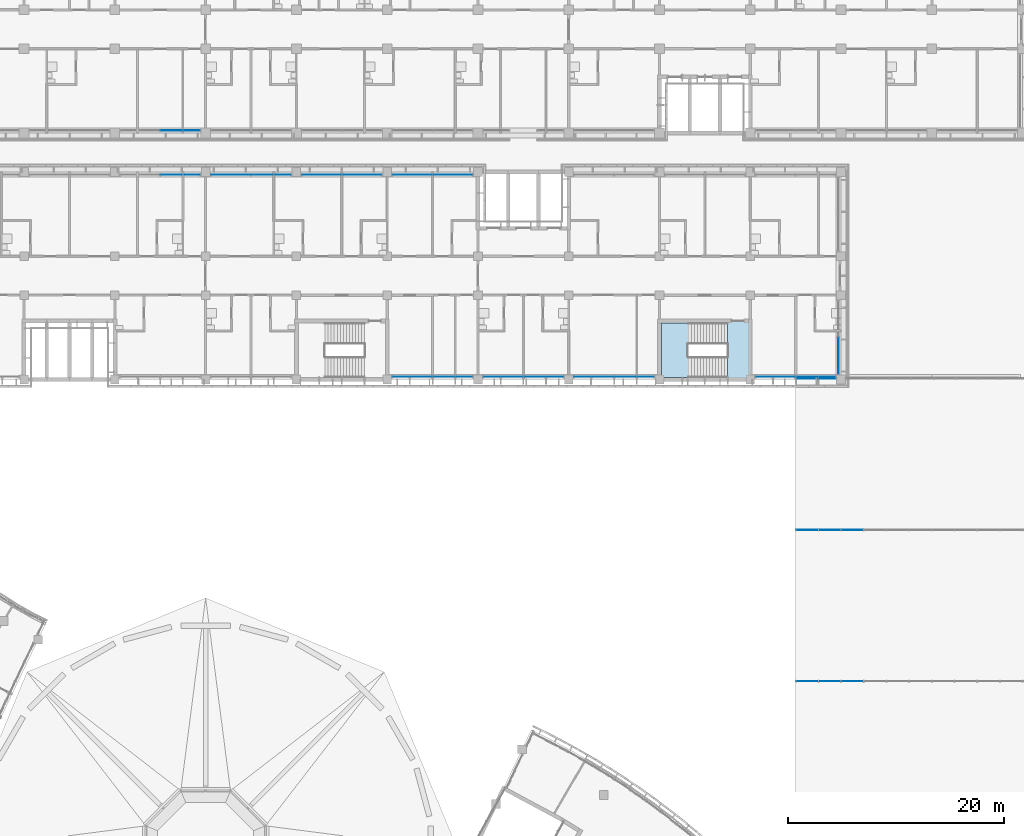
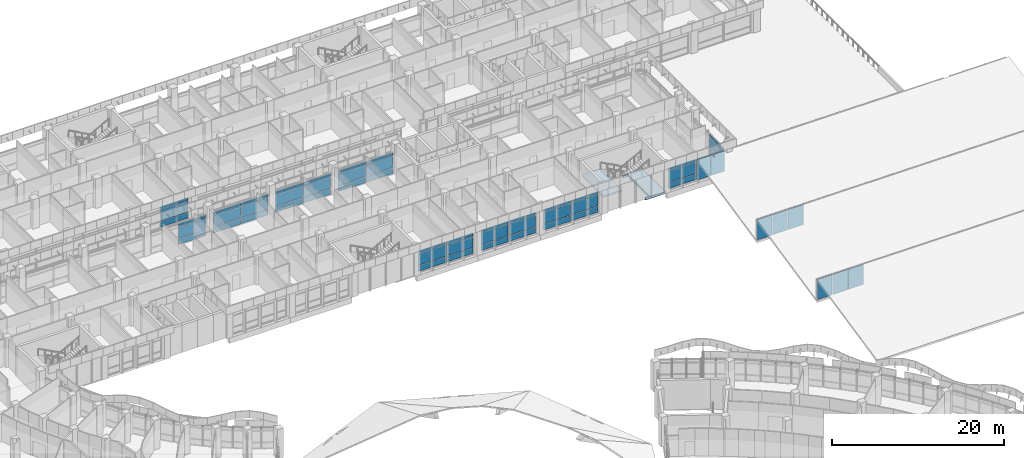
# One storey, part 57 of 137: 59 plates, 2 slabs, 14 elements without a shape of their own.
"""IFC4 building model written with IfcOpenShell, lengths in metres."""

from ifc_helpers import new_model, si_unit, direction, frame, origin, origin_2d, place, context, subcontext, project, spatial, polyline, rectangle, outline, extrude, material, layer, layer_set, type_object, element, aggregate, save


model = new_model("IFC4")

# Units and contexts
model_context = context("Model", 3, precision=1e-05, world=origin(), true_north=direction((0.0, 1.0)))
body_context = subcontext(model_context, "Body", "Model", "MODEL_VIEW")
ifc_project = project(units=[si_unit("LENGTHUNIT", "METRE"), si_unit("AREAUNIT", "SQUARE_METRE"), si_unit("VOLUMEUNIT", "CUBIC_METRE"), si_unit("PLANEANGLEUNIT", "RADIAN"), si_unit("MASSUNIT", "GRAM", prefix="KILO")], contexts=[model_context])

# Site, building, storey
site_placement = place(None, origin())
site = spatial("IfcSite", under=ifc_project, at=site_placement, CompositionType="ELEMENT")
building_placement = place(site_placement, origin())
building = spatial("IfcBuilding", under=site, at=building_placement, Name="Bougainvillea Quay General Hospital", CompositionType="ELEMENT")
storey_placement = place(building_placement, frame((0.0, 0.0, 16.800048828125)))
storey = spatial("IfcBuildingStorey", under=building, at=storey_placement, Name="L03", CompositionType="ELEMENT", Elevation=16.800048828125)

# Curtain wall, plates
ifc_material_1 = material(Name="Aluminium curtain wall system, powder-coated glazed", Category="aluminium")
curtain_wall_type_1 = type_object("IfcCurtainWallType", Name="Unitised curtain wall CW-3730", PredefinedType="NOTDEFINED", material=ifc_material_1)
curtain_wall_1_placement = place(storey_placement, origin())
curtain_wall_1 = element("IfcCurtainWall", 1, at=curtain_wall_1_placement, inside=storey, type_object=curtain_wall_type_1, Name="CW-4200 03", PredefinedType="NOTDEFINED")
ifc_material_2 = material(Name="Insulated aluminium spandrel panel, white", Category="aluminium")
ifc_layer_1 = layer(ifc_material_2, 0.028076171875)
ifc_layer_set_1 = layer_set([ifc_layer_1], Name="Insulated aluminium spandrel panel, white")
plate_type_1 = type_object("IfcPlateType", Name="Insulated spandrel panel white 28", PredefinedType="CURTAIN_PANEL", material=ifc_layer_set_1)
plate_1_placement = place(storey_placement, frame((106.85009765625, 140.64990234375, 0.059814453125), z_axis=(0.0, 0.0, 1.0), x_axis=(1.0, 0.0, 0.0)))
plate_1 = element("IfcPlate", 2, at=plate_1_placement, type_object=plate_type_1, Name="CW-4200 spandrel panel 2.1", PredefinedType="CURTAIN_PANEL", context=body_context, shape_type="SweptSolid", body=[
    extrude(rectangle(XDim=3.639892578125, YDim=0.028076171875, at=origin_2d()), origin(), (0.0, 0.0, 1.0), 0.81005859375),
])
plate_2_placement = place(storey_placement, frame((106.85009765625, 140.64990234375, 2.580078125), z_axis=(0.0, 0.0, 1.0), x_axis=(1.0, 0.0, 0.0)))
plate_2 = element("IfcPlate", 3, at=plate_2_placement, type_object=plate_type_1, Name="CW-4200 spandrel panel 2.3", PredefinedType="CURTAIN_PANEL", context=body_context, shape_type="SweptSolid", body=[
    extrude(rectangle(XDim=3.639892578125, YDim=0.028076171875, at=origin_2d()), origin(), (0.0, 0.0, 1.0), 0.409912109375),
])

curtain_wall_2_placement = place(storey_placement, origin())
curtain_wall_2 = element("IfcCurtainWall", 4, at=curtain_wall_2_placement, inside=storey, type_object=curtain_wall_type_1, Name="CW-4200 02", PredefinedType="NOTDEFINED")
plate_3_placement = place(storey_placement, frame((128.35009765625, 117.85009765625, 0.059814453125), z_axis=(0.0, 0.0, 1.0), x_axis=(1.0, 0.0, 0.0)))
plate_3 = element("IfcPlate", 5, at=plate_3_placement, type_object=plate_type_1, Name="CW-4200 spandrel panel 1.1", PredefinedType="CURTAIN_PANEL", context=body_context, shape_type="SweptSolid", body=[
    extrude(rectangle(XDim=3.639892578125, YDim=0.028076171875, at=origin_2d()), origin(), (0.0, 0.0, 1.0), 0.81005859375),
])
plate_4_placement = place(storey_placement, frame((128.35009765625, 117.85009765625, 2.580078125), z_axis=(0.0, 0.0, 1.0), x_axis=(1.0, 0.0, 0.0)))
plate_4 = element("IfcPlate", 6, at=plate_4_placement, type_object=plate_type_1, Name="CW-4200 spandrel panel 1.3", PredefinedType="CURTAIN_PANEL", context=body_context, shape_type="SweptSolid", body=[
    extrude(rectangle(XDim=3.639892578125, YDim=0.028076171875, at=origin_2d()), origin(), (0.0, 0.0, 1.0), 0.409912109375),
])
plate_5_placement = place(storey_placement, frame((132.050048828125, 117.85009765625, 0.059814453125), z_axis=(0.0, 0.0, 1.0), x_axis=(1.0, 0.0, 0.0)))
plate_5 = element("IfcPlate", 7, at=plate_5_placement, type_object=plate_type_1, Name="CW-4200 spandrel panel 2.1", PredefinedType="CURTAIN_PANEL", context=body_context, shape_type="SweptSolid", body=[
    extrude(rectangle(XDim=3.639892578125, YDim=0.028076171875, at=origin_2d()), origin(), (0.0, 0.0, 1.0), 0.81005859375),
])
plate_6_placement = place(storey_placement, frame((132.050048828125, 117.85009765625, 2.580078125), z_axis=(0.0, 0.0, 1.0), x_axis=(1.0, 0.0, 0.0)))
plate_6 = element("IfcPlate", 8, at=plate_6_placement, type_object=plate_type_1, Name="CW-4200 spandrel panel 2.3", PredefinedType="CURTAIN_PANEL", context=body_context, shape_type="SweptSolid", body=[
    extrude(rectangle(XDim=3.639892578125, YDim=0.028076171875, at=origin_2d()), origin(), (0.0, 0.0, 1.0), 0.409912109375),
])

curtain_wall_3_placement = place(storey_placement, origin())
curtain_wall_3 = element("IfcCurtainWall", 9, at=curtain_wall_3_placement, inside=storey, type_object=curtain_wall_type_1, Name="CW-4200 03", PredefinedType="NOTDEFINED")
plate_7_placement = place(storey_placement, frame((136.75, 117.85009765625, 0.059814453125), z_axis=(0.0, 0.0, 1.0), x_axis=(1.0, 0.0, 0.0)))
plate_7 = element("IfcPlate", 10, at=plate_7_placement, type_object=plate_type_1, Name="CW-4200 spandrel panel 1.1", PredefinedType="CURTAIN_PANEL", context=body_context, shape_type="SweptSolid", body=[
    extrude(rectangle(XDim=3.639892578125, YDim=0.028076171875, at=origin_2d()), origin(), (0.0, 0.0, 1.0), 0.81005859375),
])
plate_8_placement = place(storey_placement, frame((136.75, 117.85009765625, 2.580078125), z_axis=(0.0, 0.0, 1.0), x_axis=(1.0, 0.0, 0.0)))
plate_8 = element("IfcPlate", 11, at=plate_8_placement, type_object=plate_type_1, Name="CW-4200 spandrel panel 1.3", PredefinedType="CURTAIN_PANEL", context=body_context, shape_type="SweptSolid", body=[
    extrude(rectangle(XDim=3.639892578125, YDim=0.028076171875, at=origin_2d()), origin(), (0.0, 0.0, 1.0), 0.409912109375),
])
plate_9_placement = place(storey_placement, frame((140.449951171875, 117.85009765625, 0.059814453125), z_axis=(0.0, 0.0, 1.0), x_axis=(1.0, 0.0, 0.0)))
plate_9 = element("IfcPlate", 12, at=plate_9_placement, type_object=plate_type_1, Name="CW-4200 spandrel panel 2.1", PredefinedType="CURTAIN_PANEL", context=body_context, shape_type="SweptSolid", body=[
    extrude(rectangle(XDim=3.639892578125, YDim=0.028076171875, at=origin_2d()), origin(), (0.0, 0.0, 1.0), 0.81005859375),
])
plate_10_placement = place(storey_placement, frame((140.449951171875, 117.85009765625, 2.580078125), z_axis=(0.0, 0.0, 1.0), x_axis=(1.0, 0.0, 0.0)))
plate_10 = element("IfcPlate", 13, at=plate_10_placement, type_object=plate_type_1, Name="CW-4200 spandrel panel 2.3", PredefinedType="CURTAIN_PANEL", context=body_context, shape_type="SweptSolid", body=[
    extrude(rectangle(XDim=3.639892578125, YDim=0.028076171875, at=origin_2d()), origin(), (0.0, 0.0, 1.0), 0.409912109375),
])

curtain_wall_4_placement = place(storey_placement, origin())
curtain_wall_4 = element("IfcCurtainWall", 14, at=curtain_wall_4_placement, inside=storey, type_object=curtain_wall_type_1, Name="CW-4200 04", PredefinedType="NOTDEFINED")
plate_11_placement = place(storey_placement, frame((145.14990234375, 117.85009765625, 0.059814453125), z_axis=(0.0, 0.0, 1.0), x_axis=(1.0, 0.0, 0.0)))
plate_11 = element("IfcPlate", 15, at=plate_11_placement, type_object=plate_type_1, Name="CW-4200 spandrel panel 1.1", PredefinedType="CURTAIN_PANEL", context=body_context, shape_type="SweptSolid", body=[
    extrude(rectangle(XDim=3.639892578125, YDim=0.028076171875, at=origin_2d()), origin(), (0.0, 0.0, 1.0), 0.81005859375),
])
plate_12_placement = place(storey_placement, frame((145.14990234375, 117.85009765625, 2.580078125), z_axis=(0.0, 0.0, 1.0), x_axis=(1.0, 0.0, 0.0)))
plate_12 = element("IfcPlate", 16, at=plate_12_placement, type_object=plate_type_1, Name="CW-4200 spandrel panel 1.3", PredefinedType="CURTAIN_PANEL", context=body_context, shape_type="SweptSolid", body=[
    extrude(rectangle(XDim=3.639892578125, YDim=0.028076171875, at=origin_2d()), origin(), (0.0, 0.0, 1.0), 0.409912109375),
])
plate_13_placement = place(storey_placement, frame((148.85009765625, 117.85009765625, 0.059814453125), z_axis=(0.0, 0.0, 1.0), x_axis=(1.0, 0.0, 0.0)))
plate_13 = element("IfcPlate", 17, at=plate_13_placement, type_object=plate_type_1, Name="CW-4200 spandrel panel 2.1", PredefinedType="CURTAIN_PANEL", context=body_context, shape_type="SweptSolid", body=[
    extrude(rectangle(XDim=3.639892578125, YDim=0.028076171875, at=origin_2d()), origin(), (0.0, 0.0, 1.0), 0.81005859375),
])
plate_14_placement = place(storey_placement, frame((148.85009765625, 117.85009765625, 2.580078125), z_axis=(0.0, 0.0, 1.0), x_axis=(1.0, 0.0, 0.0)))
plate_14 = element("IfcPlate", 18, at=plate_14_placement, type_object=plate_type_1, Name="CW-4200 spandrel panel 2.3", PredefinedType="CURTAIN_PANEL", context=body_context, shape_type="SweptSolid", body=[
    extrude(rectangle(XDim=3.639892578125, YDim=0.028076171875, at=origin_2d()), origin(), (0.0, 0.0, 1.0), 0.409912109375),
])

curtain_wall_5_placement = place(storey_placement, origin())
curtain_wall_5 = element("IfcCurtainWall", 19, at=curtain_wall_5_placement, inside=storey, type_object=curtain_wall_type_1, Name="CW-4200 05", PredefinedType="NOTDEFINED")
plate_15_placement = place(storey_placement, frame((161.949951171875, 117.85009765625, 0.059814453125), z_axis=(0.0, 0.0, 1.0), x_axis=(1.0, 0.0, 0.0)))
plate_15 = element("IfcPlate", 20, at=plate_15_placement, type_object=plate_type_1, Name="CW-4200 spandrel panel 1.1", PredefinedType="CURTAIN_PANEL", context=body_context, shape_type="SweptSolid", body=[
    extrude(rectangle(XDim=3.639892578125, YDim=0.028076171875, at=origin_2d()), origin(), (0.0, 0.0, 1.0), 0.81005859375),
])
plate_16_placement = place(storey_placement, frame((161.949951171875, 117.85009765625, 2.580078125), z_axis=(0.0, 0.0, 1.0), x_axis=(1.0, 0.0, 0.0)))
plate_16 = element("IfcPlate", 21, at=plate_16_placement, type_object=plate_type_1, Name="CW-4200 spandrel panel 1.3", PredefinedType="CURTAIN_PANEL", context=body_context, shape_type="SweptSolid", body=[
    extrude(rectangle(XDim=3.639892578125, YDim=0.028076171875, at=origin_2d()), origin(), (0.0, 0.0, 1.0), 0.409912109375),
])
plate_17_placement = place(storey_placement, frame((165.64990234375, 117.85009765625, 0.059814453125), z_axis=(0.0, 0.0, 1.0), x_axis=(1.0, 0.0, 0.0)))
plate_17 = element("IfcPlate", 22, at=plate_17_placement, type_object=plate_type_1, Name="CW-4200 spandrel panel 2.1", PredefinedType="CURTAIN_PANEL", context=body_context, shape_type="SweptSolid", body=[
    extrude(rectangle(XDim=3.639892578125, YDim=0.028076171875, at=origin_2d()), origin(), (0.0, 0.0, 1.0), 0.81005859375),
])
plate_18_placement = place(storey_placement, frame((165.64990234375, 117.85009765625, 2.580078125), z_axis=(0.0, 0.0, 1.0), x_axis=(1.0, 0.0, 0.0)))
plate_18 = element("IfcPlate", 23, at=plate_18_placement, type_object=plate_type_1, Name="CW-4200 spandrel panel 2.3", PredefinedType="CURTAIN_PANEL", context=body_context, shape_type="SweptSolid", body=[
    extrude(rectangle(XDim=3.639892578125, YDim=0.028076171875, at=origin_2d()), origin(), (0.0, 0.0, 1.0), 0.409912109375),
])

curtain_wall_type_2 = type_object("IfcCurtainWallType", Name="Unitised curtain wall CW-3430", PredefinedType="NOTDEFINED", material=ifc_material_1)
curtain_wall_6_placement = place(storey_placement, origin())
curtain_wall_6 = element("IfcCurtainWall", 24, at=curtain_wall_6_placement, inside=storey, type_object=curtain_wall_type_2, Name="CW-4200 00", PredefinedType="NOTDEFINED")
plate_19_placement = place(storey_placement, frame((167.75, 119.800048828125, 0.059814453125), z_axis=(0.0, 0.0, 1.0), x_axis=(0.0, 1.0, 0.0)))
plate_19 = element("IfcPlate", 25, at=plate_19_placement, type_object=plate_type_1, Name="CW-4200 spandrel panel 1.1", PredefinedType="CURTAIN_PANEL", context=body_context, shape_type="SweptSolid", body=[
    extrude(rectangle(XDim=3.340087890625, YDim=0.028076171875, at=origin_2d()), origin(), (0.0, 0.0, 1.0), 0.81005859375),
])
plate_20_placement = place(storey_placement, frame((167.75, 119.800048828125, 2.580078125), z_axis=(0.0, 0.0, 1.0), x_axis=(0.0, 1.0, 0.0)))
plate_20 = element("IfcPlate", 26, at=plate_20_placement, type_object=plate_type_1, Name="CW-4200 spandrel panel 1.3", PredefinedType="CURTAIN_PANEL", context=body_context, shape_type="SweptSolid", body=[
    extrude(rectangle(XDim=3.340087890625, YDim=0.028076171875, at=origin_2d()), origin(), (0.0, 0.0, 1.0), 0.409912109375),
])

curtain_wall_7_placement = place(storey_placement, origin())
curtain_wall_7 = element("IfcCurtainWall", 27, at=curtain_wall_7_placement, inside=storey, type_object=curtain_wall_type_1, Name="CW-4200 00", PredefinedType="NOTDEFINED")
plate_21_placement = place(storey_placement, frame((132.050048828125, 136.550048828125, 0.059814453125), z_axis=(0.0, 0.0, 1.0), x_axis=(-1.0, 0.0, 0.0)))
plate_21 = element("IfcPlate", 28, at=plate_21_placement, type_object=plate_type_1, Name="CW-4200 spandrel panel 1.1", PredefinedType="CURTAIN_PANEL", context=body_context, shape_type="SweptSolid", body=[
    extrude(rectangle(XDim=3.639892578125, YDim=0.028076171875, at=origin_2d()), origin(), (0.0, 0.0, 1.0), 0.81005859375),
])
plate_22_placement = place(storey_placement, frame((132.050048828125, 136.550048828125, 2.580078125), z_axis=(0.0, 0.0, 1.0), x_axis=(-1.0, 0.0, 0.0)))
plate_22 = element("IfcPlate", 29, at=plate_22_placement, type_object=plate_type_1, Name="CW-4200 spandrel panel 1.3", PredefinedType="CURTAIN_PANEL", context=body_context, shape_type="SweptSolid", body=[
    extrude(rectangle(XDim=3.639892578125, YDim=0.028076171875, at=origin_2d()), origin(), (0.0, 0.0, 1.0), 0.409912109375),
])
plate_23_placement = place(storey_placement, frame((128.35009765625, 136.550048828125, 0.059814453125), z_axis=(0.0, 0.0, 1.0), x_axis=(-1.0, 0.0, 0.0)))
plate_23 = element("IfcPlate", 30, at=plate_23_placement, type_object=plate_type_1, Name="CW-4200 spandrel panel 2.1", PredefinedType="CURTAIN_PANEL", context=body_context, shape_type="SweptSolid", body=[
    extrude(rectangle(XDim=3.639892578125, YDim=0.028076171875, at=origin_2d()), origin(), (0.0, 0.0, 1.0), 0.81005859375),
])
plate_24_placement = place(storey_placement, frame((128.35009765625, 136.550048828125, 2.580078125), z_axis=(0.0, 0.0, 1.0), x_axis=(-1.0, 0.0, 0.0)))
plate_24 = element("IfcPlate", 31, at=plate_24_placement, type_object=plate_type_1, Name="CW-4200 spandrel panel 2.3", PredefinedType="CURTAIN_PANEL", context=body_context, shape_type="SweptSolid", body=[
    extrude(rectangle(XDim=3.639892578125, YDim=0.028076171875, at=origin_2d()), origin(), (0.0, 0.0, 1.0), 0.409912109375),
])

curtain_wall_8_placement = place(storey_placement, origin())
curtain_wall_8 = element("IfcCurtainWall", 32, at=curtain_wall_8_placement, inside=storey, type_object=curtain_wall_type_1, Name="CW-4200 01", PredefinedType="NOTDEFINED")
plate_25_placement = place(storey_placement, frame((123.64990234375, 136.550048828125, 0.059814453125), z_axis=(0.0, 0.0, 1.0), x_axis=(-1.0, 0.0, 0.0)))
plate_25 = element("IfcPlate", 33, at=plate_25_placement, type_object=plate_type_1, Name="CW-4200 spandrel panel 1.1", PredefinedType="CURTAIN_PANEL", context=body_context, shape_type="SweptSolid", body=[
    extrude(rectangle(XDim=3.639892578125, YDim=0.028076171875, at=origin_2d()), origin(), (0.0, 0.0, 1.0), 0.81005859375),
])
plate_26_placement = place(storey_placement, frame((123.64990234375, 136.550048828125, 2.580078125), z_axis=(0.0, 0.0, 1.0), x_axis=(-1.0, 0.0, 0.0)))
plate_26 = element("IfcPlate", 34, at=plate_26_placement, type_object=plate_type_1, Name="CW-4200 spandrel panel 1.3", PredefinedType="CURTAIN_PANEL", context=body_context, shape_type="SweptSolid", body=[
    extrude(rectangle(XDim=3.639892578125, YDim=0.028076171875, at=origin_2d()), origin(), (0.0, 0.0, 1.0), 0.409912109375),
])
plate_27_placement = place(storey_placement, frame((119.949951171875, 136.550048828125, 0.059814453125), z_axis=(0.0, 0.0, 1.0), x_axis=(-1.0, 0.0, 0.0)))
plate_27 = element("IfcPlate", 35, at=plate_27_placement, type_object=plate_type_1, Name="CW-4200 spandrel panel 2.1", PredefinedType="CURTAIN_PANEL", context=body_context, shape_type="SweptSolid", body=[
    extrude(rectangle(XDim=3.639892578125, YDim=0.028076171875, at=origin_2d()), origin(), (0.0, 0.0, 1.0), 0.81005859375),
])
plate_28_placement = place(storey_placement, frame((119.949951171875, 136.550048828125, 2.580078125), z_axis=(0.0, 0.0, 1.0), x_axis=(-1.0, 0.0, 0.0)))
plate_28 = element("IfcPlate", 36, at=plate_28_placement, type_object=plate_type_1, Name="CW-4200 spandrel panel 2.3", PredefinedType="CURTAIN_PANEL", context=body_context, shape_type="SweptSolid", body=[
    extrude(rectangle(XDim=3.639892578125, YDim=0.028076171875, at=origin_2d()), origin(), (0.0, 0.0, 1.0), 0.409912109375),
])

curtain_wall_9_placement = place(storey_placement, origin())
curtain_wall_9 = element("IfcCurtainWall", 37, at=curtain_wall_9_placement, inside=storey, type_object=curtain_wall_type_1, Name="CW-4200 02", PredefinedType="NOTDEFINED")
plate_29_placement = place(storey_placement, frame((115.25, 136.550048828125, 0.059814453125), z_axis=(0.0, 0.0, 1.0), x_axis=(-1.0, 0.0, 0.0)))
plate_29 = element("IfcPlate", 38, at=plate_29_placement, type_object=plate_type_1, Name="CW-4200 spandrel panel 1.1", PredefinedType="CURTAIN_PANEL", context=body_context, shape_type="SweptSolid", body=[
    extrude(rectangle(XDim=3.639892578125, YDim=0.028076171875, at=origin_2d()), origin(), (0.0, 0.0, 1.0), 0.81005859375),
])
plate_30_placement = place(storey_placement, frame((115.25, 136.550048828125, 2.580078125), z_axis=(0.0, 0.0, 1.0), x_axis=(-1.0, 0.0, 0.0)))
plate_30 = element("IfcPlate", 39, at=plate_30_placement, type_object=plate_type_1, Name="CW-4200 spandrel panel 1.3", PredefinedType="CURTAIN_PANEL", context=body_context, shape_type="SweptSolid", body=[
    extrude(rectangle(XDim=3.639892578125, YDim=0.028076171875, at=origin_2d()), origin(), (0.0, 0.0, 1.0), 0.409912109375),
])
plate_31_placement = place(storey_placement, frame((111.550048828125, 136.550048828125, 0.059814453125), z_axis=(0.0, 0.0, 1.0), x_axis=(-1.0, 0.0, 0.0)))
plate_31 = element("IfcPlate", 40, at=plate_31_placement, type_object=plate_type_1, Name="CW-4200 spandrel panel 2.1", PredefinedType="CURTAIN_PANEL", context=body_context, shape_type="SweptSolid", body=[
    extrude(rectangle(XDim=3.639892578125, YDim=0.028076171875, at=origin_2d()), origin(), (0.0, 0.0, 1.0), 0.81005859375),
])
plate_32_placement = place(storey_placement, frame((111.550048828125, 136.550048828125, 2.580078125), z_axis=(0.0, 0.0, 1.0), x_axis=(-1.0, 0.0, 0.0)))
plate_32 = element("IfcPlate", 41, at=plate_32_placement, type_object=plate_type_1, Name="CW-4200 spandrel panel 2.3", PredefinedType="CURTAIN_PANEL", context=body_context, shape_type="SweptSolid", body=[
    extrude(rectangle(XDim=3.639892578125, YDim=0.028076171875, at=origin_2d()), origin(), (0.0, 0.0, 1.0), 0.409912109375),
])

curtain_wall_10_placement = place(storey_placement, origin())
curtain_wall_10 = element("IfcCurtainWall", 42, at=curtain_wall_10_placement, inside=storey, type_object=curtain_wall_type_1, Name="CW-4200 03", PredefinedType="NOTDEFINED")
plate_33_placement = place(storey_placement, frame((106.85009765625, 136.550048828125, 0.059814453125), z_axis=(0.0, 0.0, 1.0), x_axis=(-1.0, 0.0, 0.0)))
plate_33 = element("IfcPlate", 43, at=plate_33_placement, type_object=plate_type_1, Name="CW-4200 spandrel panel 1.1", PredefinedType="CURTAIN_PANEL", context=body_context, shape_type="SweptSolid", body=[
    extrude(rectangle(XDim=3.639892578125, YDim=0.028076171875, at=origin_2d()), origin(), (0.0, 0.0, 1.0), 0.81005859375),
])
plate_34_placement = place(storey_placement, frame((106.85009765625, 136.550048828125, 2.580078125), z_axis=(0.0, 0.0, 1.0), x_axis=(-1.0, 0.0, 0.0)))
plate_34 = element("IfcPlate", 44, at=plate_34_placement, type_object=plate_type_1, Name="CW-4200 spandrel panel 1.3", PredefinedType="CURTAIN_PANEL", context=body_context, shape_type="SweptSolid", body=[
    extrude(rectangle(XDim=3.639892578125, YDim=0.028076171875, at=origin_2d()), origin(), (0.0, 0.0, 1.0), 0.409912109375),
])

# Plate
ifc_material_3 = material(Name="Low-e laminated glass, solar control", Category="glass")
ifc_layer_2 = layer(ifc_material_3, 0.028076171875)
ifc_layer_set_2 = layer_set([ifc_layer_2], Name="Low-e laminated glass, solar control")
plate_type_2 = type_object("IfcPlateType", Name="Low-e laminated vision glass 28", PredefinedType="CURTAIN_PANEL", material=ifc_layer_set_2)
plate_35_placement = place(storey_placement, frame((106.85009765625, 140.64990234375, 0.9296875), z_axis=(0.0, 0.0, 1.0), x_axis=(1.0, 0.0, 0.0)))
plate_35 = element("IfcPlate", 45, at=plate_35_placement, type_object=plate_type_2, Name="CW-4200 vision glass panel 2.2", PredefinedType="CURTAIN_PANEL", context=body_context, shape_type="SweptSolid", body=[
    extrude(rectangle(XDim=3.639892578125, YDim=0.028076171875, at=origin_2d()), origin(), (0.0, 0.0, 1.0), 1.590087890625),
])

aggregate(curtain_wall_1, [plate_1, plate_35, plate_2])

plate_36_placement = place(storey_placement, frame((128.35009765625, 117.85009765625, 0.9296875), z_axis=(0.0, 0.0, 1.0), x_axis=(1.0, 0.0, 0.0)))
plate_36 = element("IfcPlate", 46, at=plate_36_placement, type_object=plate_type_2, Name="CW-4200 vision glass panel 1.2", PredefinedType="CURTAIN_PANEL", context=body_context, shape_type="SweptSolid", body=[
    extrude(rectangle(XDim=3.639892578125, YDim=0.028076171875, at=origin_2d()), origin(), (0.0, 0.0, 1.0), 1.590087890625),
])

plate_37_placement = place(storey_placement, frame((132.050048828125, 117.85009765625, 0.9296875), z_axis=(0.0, 0.0, 1.0), x_axis=(1.0, 0.0, 0.0)))
plate_37 = element("IfcPlate", 47, at=plate_37_placement, type_object=plate_type_2, Name="CW-4200 vision glass panel 2.2", PredefinedType="CURTAIN_PANEL", context=body_context, shape_type="SweptSolid", body=[
    extrude(rectangle(XDim=3.639892578125, YDim=0.028076171875, at=origin_2d()), origin(), (0.0, 0.0, 1.0), 1.590087890625),
])

aggregate(curtain_wall_2, [plate_3, plate_36, plate_4, plate_5, plate_37, plate_6])

plate_38_placement = place(storey_placement, frame((136.75, 117.85009765625, 0.9296875), z_axis=(0.0, 0.0, 1.0), x_axis=(1.0, 0.0, 0.0)))
plate_38 = element("IfcPlate", 48, at=plate_38_placement, type_object=plate_type_2, Name="CW-4200 vision glass panel 1.2", PredefinedType="CURTAIN_PANEL", context=body_context, shape_type="SweptSolid", body=[
    extrude(rectangle(XDim=3.639892578125, YDim=0.028076171875, at=origin_2d()), origin(), (0.0, 0.0, 1.0), 1.590087890625),
])

plate_39_placement = place(storey_placement, frame((140.449951171875, 117.85009765625, 0.9296875), z_axis=(0.0, 0.0, 1.0), x_axis=(1.0, 0.0, 0.0)))
plate_39 = element("IfcPlate", 49, at=plate_39_placement, type_object=plate_type_2, Name="CW-4200 vision glass panel 2.2", PredefinedType="CURTAIN_PANEL", context=body_context, shape_type="SweptSolid", body=[
    extrude(rectangle(XDim=3.639892578125, YDim=0.028076171875, at=origin_2d()), origin(), (0.0, 0.0, 1.0), 1.590087890625),
])

aggregate(curtain_wall_3, [plate_7, plate_38, plate_8, plate_9, plate_39, plate_10])

plate_40_placement = place(storey_placement, frame((145.14990234375, 117.85009765625, 0.9296875), z_axis=(0.0, 0.0, 1.0), x_axis=(1.0, 0.0, 0.0)))
plate_40 = element("IfcPlate", 50, at=plate_40_placement, type_object=plate_type_2, Name="CW-4200 vision glass panel 1.2", PredefinedType="CURTAIN_PANEL", context=body_context, shape_type="SweptSolid", body=[
    extrude(rectangle(XDim=3.639892578125, YDim=0.028076171875, at=origin_2d()), origin(), (0.0, 0.0, 1.0), 1.590087890625),
])

plate_41_placement = place(storey_placement, frame((148.85009765625, 117.85009765625, 0.9296875), z_axis=(0.0, 0.0, 1.0), x_axis=(1.0, 0.0, 0.0)))
plate_41 = element("IfcPlate", 51, at=plate_41_placement, type_object=plate_type_2, Name="CW-4200 vision glass panel 2.2", PredefinedType="CURTAIN_PANEL", context=body_context, shape_type="SweptSolid", body=[
    extrude(rectangle(XDim=3.639892578125, YDim=0.028076171875, at=origin_2d()), origin(), (0.0, 0.0, 1.0), 1.590087890625),
])

aggregate(curtain_wall_4, [plate_11, plate_40, plate_12, plate_13, plate_41, plate_14])

plate_42_placement = place(storey_placement, frame((161.949951171875, 117.85009765625, 0.9296875), z_axis=(0.0, 0.0, 1.0), x_axis=(1.0, 0.0, 0.0)))
plate_42 = element("IfcPlate", 52, at=plate_42_placement, type_object=plate_type_2, Name="CW-4200 vision glass panel 1.2", PredefinedType="CURTAIN_PANEL", context=body_context, shape_type="SweptSolid", body=[
    extrude(rectangle(XDim=3.639892578125, YDim=0.028076171875, at=origin_2d()), origin(), (0.0, 0.0, 1.0), 1.590087890625),
])

plate_43_placement = place(storey_placement, frame((165.64990234375, 117.85009765625, 0.9296875), z_axis=(0.0, 0.0, 1.0), x_axis=(1.0, 0.0, 0.0)))
plate_43 = element("IfcPlate", 53, at=plate_43_placement, type_object=plate_type_2, Name="CW-4200 vision glass panel 2.2", PredefinedType="CURTAIN_PANEL", context=body_context, shape_type="SweptSolid", body=[
    extrude(rectangle(XDim=3.639892578125, YDim=0.028076171875, at=origin_2d()), origin(), (0.0, 0.0, 1.0), 1.590087890625),
])

aggregate(curtain_wall_5, [plate_15, plate_42, plate_16, plate_17, plate_43, plate_18])

plate_44_placement = place(storey_placement, frame((167.75, 119.800048828125, 0.9296875), z_axis=(0.0, 0.0, 1.0), x_axis=(0.0, 1.0, 0.0)))
plate_44 = element("IfcPlate", 54, at=plate_44_placement, type_object=plate_type_2, Name="CW-4200 vision glass panel 1.2", PredefinedType="CURTAIN_PANEL", context=body_context, shape_type="SweptSolid", body=[
    extrude(rectangle(XDim=3.340087890625, YDim=0.028076171875, at=origin_2d()), origin(), (0.0, 0.0, 1.0), 1.590087890625),
])

aggregate(curtain_wall_6, [plate_19, plate_44, plate_20])

plate_45_placement = place(storey_placement, frame((132.050048828125, 136.550048828125, 0.9296875), z_axis=(0.0, 0.0, 1.0), x_axis=(-1.0, 0.0, 0.0)))
plate_45 = element("IfcPlate", 55, at=plate_45_placement, type_object=plate_type_2, Name="CW-4200 vision glass panel 1.2", PredefinedType="CURTAIN_PANEL", context=body_context, shape_type="SweptSolid", body=[
    extrude(rectangle(XDim=3.639892578125, YDim=0.028076171875, at=origin_2d()), origin(), (0.0, 0.0, 1.0), 1.590087890625),
])

plate_46_placement = place(storey_placement, frame((128.35009765625, 136.550048828125, 0.9296875), z_axis=(0.0, 0.0, 1.0), x_axis=(-1.0, 0.0, 0.0)))
plate_46 = element("IfcPlate", 56, at=plate_46_placement, type_object=plate_type_2, Name="CW-4200 vision glass panel 2.2", PredefinedType="CURTAIN_PANEL", context=body_context, shape_type="SweptSolid", body=[
    extrude(rectangle(XDim=3.639892578125, YDim=0.028076171875, at=origin_2d()), origin(), (0.0, 0.0, 1.0), 1.590087890625),
])

aggregate(curtain_wall_7, [plate_21, plate_45, plate_22, plate_23, plate_46, plate_24])

plate_47_placement = place(storey_placement, frame((123.64990234375, 136.550048828125, 0.9296875), z_axis=(0.0, 0.0, 1.0), x_axis=(-1.0, 0.0, 0.0)))
plate_47 = element("IfcPlate", 57, at=plate_47_placement, type_object=plate_type_2, Name="CW-4200 vision glass panel 1.2", PredefinedType="CURTAIN_PANEL", context=body_context, shape_type="SweptSolid", body=[
    extrude(rectangle(XDim=3.639892578125, YDim=0.028076171875, at=origin_2d()), origin(), (0.0, 0.0, 1.0), 1.590087890625),
])

plate_48_placement = place(storey_placement, frame((119.949951171875, 136.550048828125, 0.9296875), z_axis=(0.0, 0.0, 1.0), x_axis=(-1.0, 0.0, 0.0)))
plate_48 = element("IfcPlate", 58, at=plate_48_placement, type_object=plate_type_2, Name="CW-4200 vision glass panel 2.2", PredefinedType="CURTAIN_PANEL", context=body_context, shape_type="SweptSolid", body=[
    extrude(rectangle(XDim=3.639892578125, YDim=0.028076171875, at=origin_2d()), origin(), (0.0, 0.0, 1.0), 1.590087890625),
])

aggregate(curtain_wall_8, [plate_25, plate_47, plate_26, plate_27, plate_48, plate_28])

plate_49_placement = place(storey_placement, frame((115.25, 136.550048828125, 0.9296875), z_axis=(0.0, 0.0, 1.0), x_axis=(-1.0, 0.0, 0.0)))
plate_49 = element("IfcPlate", 59, at=plate_49_placement, type_object=plate_type_2, Name="CW-4200 vision glass panel 1.2", PredefinedType="CURTAIN_PANEL", context=body_context, shape_type="SweptSolid", body=[
    extrude(rectangle(XDim=3.639892578125, YDim=0.028076171875, at=origin_2d()), origin(), (0.0, 0.0, 1.0), 1.590087890625),
])

plate_50_placement = place(storey_placement, frame((111.550048828125, 136.550048828125, 0.9296875), z_axis=(0.0, 0.0, 1.0), x_axis=(-1.0, 0.0, 0.0)))
plate_50 = element("IfcPlate", 60, at=plate_50_placement, type_object=plate_type_2, Name="CW-4200 vision glass panel 2.2", PredefinedType="CURTAIN_PANEL", context=body_context, shape_type="SweptSolid", body=[
    extrude(rectangle(XDim=3.639892578125, YDim=0.028076171875, at=origin_2d()), origin(), (0.0, 0.0, 1.0), 1.590087890625),
])

aggregate(curtain_wall_9, [plate_29, plate_49, plate_30, plate_31, plate_50, plate_32])

plate_51_placement = place(storey_placement, frame((106.85009765625, 136.550048828125, 0.9296875), z_axis=(0.0, 0.0, 1.0), x_axis=(-1.0, 0.0, 0.0)))
plate_51 = element("IfcPlate", 61, at=plate_51_placement, type_object=plate_type_2, Name="CW-4200 vision glass panel 1.2", PredefinedType="CURTAIN_PANEL", context=body_context, shape_type="SweptSolid", body=[
    extrude(rectangle(XDim=3.639892578125, YDim=0.028076171875, at=origin_2d()), origin(), (0.0, 0.0, 1.0), 1.590087890625),
])

aggregate(curtain_wall_10, [plate_33, plate_51, plate_34])

# Curtain wall, plates
curtain_wall_type_3 = type_object("IfcCurtainWallType", Name="Unitised curtain wall CW-2100", PredefinedType="NOTDEFINED", material=ifc_material_1)
curtain_wall_11_placement = place(storey_placement, origin())
curtain_wall_11 = element("IfcCurtainWall", 62, at=curtain_wall_11_placement, inside=storey, type_object=curtain_wall_type_3, Name="ST-G1 GL0", PredefinedType="NOTDEFINED")
plate_52_placement = place(storey_placement, frame((164.864990234375, 89.679931640625, 0.06005859375), z_axis=(0.0, 0.0, 1.0), x_axis=(1.0, 0.0, 0.0)))
plate_52 = element("IfcPlate", 63, at=plate_52_placement, type_object=plate_type_2, Name="ST-G1 vision glass panel 1.1", PredefinedType="CURTAIN_PANEL", context=body_context, shape_type="SweptSolid", body=[
    extrude(rectangle(XDim=2.010009765625, YDim=0.028076171875, at=origin_2d()), origin(), (0.0, 0.0, 1.0), 2.8798828125),
])
plate_53_placement = place(storey_placement, frame((166.949951171875, 89.679931640625, 0.06005859375), z_axis=(0.0, 0.0, 1.0), x_axis=(1.0, 0.0, 0.0)))
plate_53 = element("IfcPlate", 64, at=plate_53_placement, type_object=plate_type_2, Name="ST-G1 vision glass panel 2.1", PredefinedType="CURTAIN_PANEL", context=body_context, shape_type="SweptSolid", body=[
    extrude(rectangle(XDim=2.0400390625, YDim=0.028076171875, at=origin_2d()), origin(), (0.0, 0.0, 1.0), 2.8798828125),
])
plate_54_placement = place(storey_placement, frame((169.050048828125, 89.679931640625, 0.06005859375), z_axis=(0.0, 0.0, 1.0), x_axis=(1.0, 0.0, 0.0)))
plate_54 = element("IfcPlate", 65, at=plate_54_placement, type_object=plate_type_2, Name="ST-G1 vision glass panel 3.1", PredefinedType="CURTAIN_PANEL", context=body_context, shape_type="SweptSolid", body=[
    extrude(rectangle(XDim=2.0400390625, YDim=0.028076171875, at=origin_2d()), origin(), (0.0, 0.0, 1.0), 2.8798828125),
])
aggregate(curtain_wall_11, [plate_52, plate_53, plate_54])

curtain_wall_12_placement = place(storey_placement, origin())
curtain_wall_12 = element("IfcCurtainWall", 66, at=curtain_wall_12_placement, inside=storey, type_object=curtain_wall_type_3, Name="ST-G2 GL1", PredefinedType="NOTDEFINED")
plate_55_placement = place(storey_placement, frame((164.864990234375, 103.679931640625, 0.06005859375), z_axis=(0.0, 0.0, 1.0), x_axis=(1.0, 0.0, 0.0)))
plate_55 = element("IfcPlate", 67, at=plate_55_placement, type_object=plate_type_2, Name="ST-G2 vision glass panel 1.1", PredefinedType="CURTAIN_PANEL", context=body_context, shape_type="SweptSolid", body=[
    extrude(rectangle(XDim=2.010009765625, YDim=0.028076171875, at=origin_2d()), origin(), (0.0, 0.0, 1.0), 2.8798828125),
])
plate_56_placement = place(storey_placement, frame((166.949951171875, 103.679931640625, 0.06005859375), z_axis=(0.0, 0.0, 1.0), x_axis=(1.0, 0.0, 0.0)))
plate_56 = element("IfcPlate", 68, at=plate_56_placement, type_object=plate_type_2, Name="ST-G2 vision glass panel 2.1", PredefinedType="CURTAIN_PANEL", context=body_context, shape_type="SweptSolid", body=[
    extrude(rectangle(XDim=2.0400390625, YDim=0.028076171875, at=origin_2d()), origin(), (0.0, 0.0, 1.0), 2.8798828125),
])
plate_57_placement = place(storey_placement, frame((169.050048828125, 103.679931640625, 0.06005859375), z_axis=(0.0, 0.0, 1.0), x_axis=(1.0, 0.0, 0.0)))
plate_57 = element("IfcPlate", 69, at=plate_57_placement, type_object=plate_type_2, Name="ST-G2 vision glass panel 3.1", PredefinedType="CURTAIN_PANEL", context=body_context, shape_type="SweptSolid", body=[
    extrude(rectangle(XDim=2.0400390625, YDim=0.028076171875, at=origin_2d()), origin(), (0.0, 0.0, 1.0), 2.8798828125),
])
aggregate(curtain_wall_12, [plate_55, plate_56, plate_57])

curtain_wall_13_placement = place(storey_placement, origin())
curtain_wall_13 = element("IfcCurtainWall", 70, at=curtain_wall_13_placement, inside=storey, type_object=curtain_wall_type_3, Name="ST-G3 GL2_0", PredefinedType="NOTDEFINED")
plate_58_placement = place(storey_placement, frame((164.764892578125, 117.679931640625, 0.06005859375), z_axis=(0.0, 0.0, 1.0), x_axis=(1.0, 0.0, 0.0)))
plate_58 = element("IfcPlate", 71, at=plate_58_placement, type_object=plate_type_2, Name="ST-G3 vision glass panel 1.1", PredefinedType="CURTAIN_PANEL", context=body_context, shape_type="SweptSolid", body=[
    extrude(rectangle(XDim=1.81005859375, YDim=0.028076171875, at=origin_2d()), origin(), (0.0, 0.0, 1.0), 2.8798828125),
])
plate_59_placement = place(storey_placement, frame((166.635009765625, 117.679931640625, 0.06005859375), z_axis=(0.0, 0.0, 1.0), x_axis=(1.0, 0.0, 0.0)))
plate_59 = element("IfcPlate", 72, at=plate_59_placement, type_object=plate_type_2, Name="ST-G3 vision glass panel 2.1", PredefinedType="CURTAIN_PANEL", context=body_context, shape_type="SweptSolid", body=[
    extrude(rectangle(XDim=1.81005859375, YDim=0.028076171875, at=origin_2d()), origin(), (0.0, 0.0, 1.0), 2.8798828125),
])
aggregate(curtain_wall_13, [plate_58, plate_59])

# Slab
ifc_material_4 = material(Name="Concrete C35", Category="concrete")
ifc_layer_3 = layer(ifc_material_4, 0.300048828125)
ifc_layer_set_3 = layer_set([ifc_layer_3], Name="Concrete C35")
slab_type_1 = type_object("IfcSlabType", Name="RC FLAT SLAB 300 C35", PredefinedType="FLOOR", material=ifc_layer_set_3)
slab_1_placement = place(storey_placement, frame((0.0, 0.0, -0.300048828125)))
element("IfcSlab", 73, at=slab_1_placement, inside=storey, type_object=slab_type_1, Name="Stair landing floor ST-B4 L03", PredefinedType="FLOOR", context=body_context, shape_type="SweptSolid", body=[
    extrude(outline(polyline([(156.90283203125, 122.8837890625), (156.91162109375, 122.942138671875), (156.926025390625, 122.99951171875), (159.60009765625, 123.0), (159.60009765625, 117.60009765625), (156.926025390625, 117.600341796875), (156.91162109375, 117.657958984375), (156.90283203125, 117.71630859375), (156.89990234375, 117.77392578125), (157.500732421875, 117.7744140625), (157.500732421875, 122.82568359375), (156.89990234375, 122.825927734375), (156.90283203125, 122.8837890625)])), origin(), (0.0, 0.0, 1.0), 0.300048828125),
])

# Stair, slab
stair_type = type_object("IfcStairType", Name="Stair half-turn 1925 wide", PredefinedType="HALF_TURN_STAIR", material=ifc_material_4)
stair_placement = place(storey_placement, origin())
stair = element("IfcStair", 74, at=stair_placement, inside=storey, type_object=stair_type, Name="L03 stair ST-B4", PredefinedType="HALF_TURN_STAIR")
ifc_layer_4 = layer(ifc_material_4, 0.199951171875)
ifc_layer_set_4 = layer_set([ifc_layer_4], Name="Concrete C35")
slab_type_2 = type_object("IfcSlabType", Name="Stair landing 200", PredefinedType="LANDING", material=ifc_layer_set_4)
slab_2_placement = place(storey_placement, frame((0.0, 0.0, 1.89990234375)))
slab_2 = element("IfcSlab", 75, at=slab_2_placement, type_object=slab_type_2, Name="ST-B4 landing 1", PredefinedType="LANDING", context=body_context, shape_type="SweptSolid", body=[
    extrude(outline(polyline([(153.860107421875, 122.824951171875), (151.375, 122.824951171875), (151.375, 117.77490234375), (153.860107421875, 117.77490234375), (153.860107421875, 122.824951171875)])), origin(), (0.0, 0.0, 1.0), 0.199951171875),
])
aggregate(stair, [slab_2])

save(model, "model.ifc")
